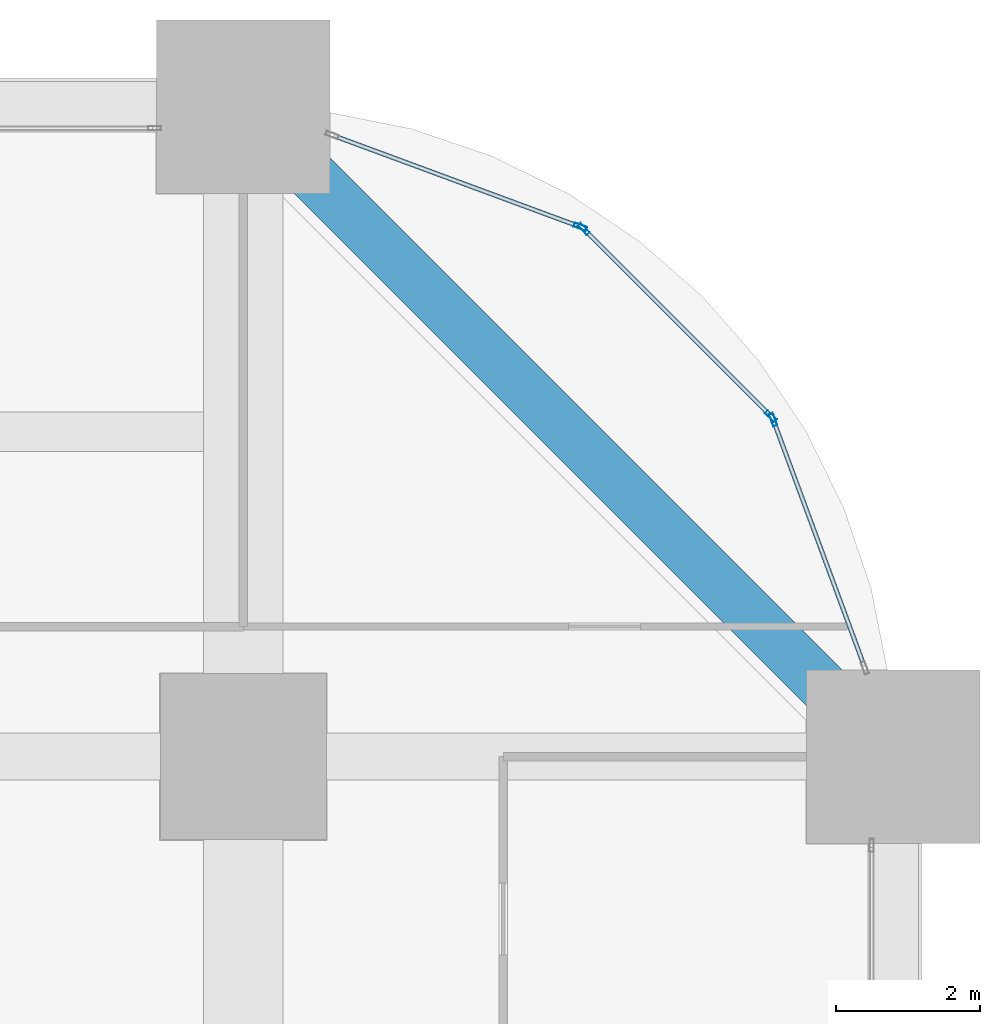
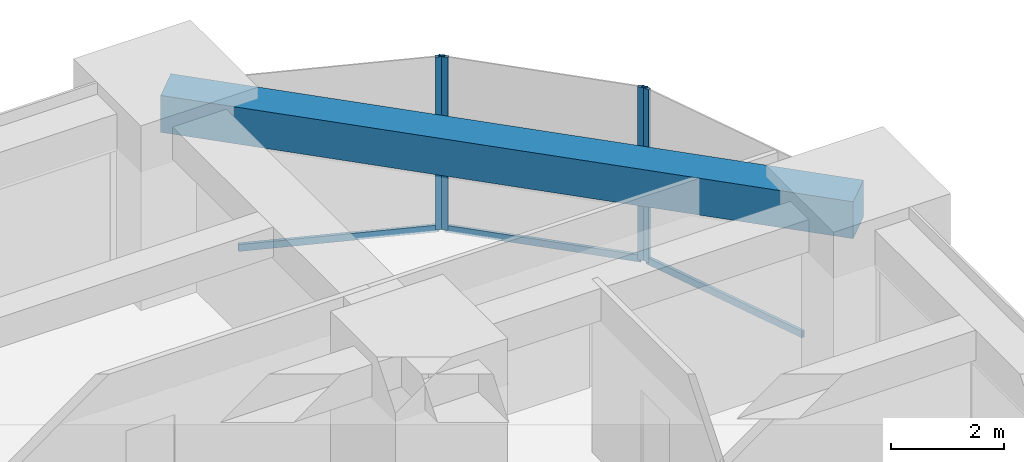
# One storey, part 37 of 45: 7 members, 1 beam, 3 elements without a shape of their own.
"""IFC4 building model written with IfcOpenShell, lengths in metres."""

from ifc_helpers import new_model, si_unit, direction, frame, origin, origin_2d, place, context, subcontext, project, spatial, rectangle, hollow_rectangle, extrude, material, material_profile, profile_set, type_object, element, aggregate, save


model = new_model("IFC4")

# Units and contexts
model_context = context("Model", 3, precision=1e-05, world=origin(), true_north=direction((0.0, 1.0)))
body_context = subcontext(model_context, "Body", "Model", "MODEL_VIEW")
ifc_project = project(units=[si_unit("LENGTHUNIT", "METRE"), si_unit("AREAUNIT", "SQUARE_METRE"), si_unit("VOLUMEUNIT", "CUBIC_METRE"), si_unit("PLANEANGLEUNIT", "RADIAN"), si_unit("MASSUNIT", "GRAM", prefix="KILO")], contexts=[model_context])

# Site, building, storey
site_placement = place(None, origin())
site = spatial("IfcSite", under=ifc_project, at=site_placement, CompositionType="ELEMENT")
building_placement = place(site_placement, origin())
building = spatial("IfcBuilding", under=site, at=building_placement, Name="Zorevar Civic Tower", CompositionType="ELEMENT")
storey_placement = place(building_placement, frame((0.0, 0.0, 23.800048828125)))
storey = spatial("IfcBuildingStorey", under=building, at=storey_placement, Name="L05", CompositionType="ELEMENT", Elevation=23.800048828125)

# Curtain wall, member
ifc_material_1 = material(Name="Dark grey solar-control glass in black aluminium frame", Category="aluminium")
curtain_wall_type = type_object("IfcCurtainWallType", Name="Curtain wall CW2 low zone", PredefinedType="NOTDEFINED", material=ifc_material_1)
curtain_wall_1_placement = place(storey_placement, origin())
curtain_wall_1 = element("IfcCurtainWall", 1, at=curtain_wall_1_placement, inside=storey, type_object=curtain_wall_type, Name="CW2 L05", PredefinedType="NOTDEFINED")
ifc_material_2 = material(Name="Aluminium, black anodised", Category="aluminium")
ifc_material_profile_1 = material_profile(ifc_material_2, hollow_rectangle(XDim=0.06005859375, YDim=0.179931640625, WallThickness=0.00390625, at=origin_2d()), Name="AL 180x60x4")
ifc_profile_set_1 = profile_set([ifc_material_profile_1], Name="Aluminium, black anodised")
member_type_1 = type_object("IfcMemberType", Name="CW2 mullion AL 180x60x4", PredefinedType="MULLION", material=ifc_profile_set_1)
member_1_placement = place(storey_placement, frame((61.336181640625, 49.66455078125, 0.0), z_axis=(0.0, 0.0, 1.0), x_axis=(-0.937974588163, -0.346704012033, 0.0)))
member_1 = element("IfcMember", 2, at=member_1_placement, type_object=member_type_1, Name="CW2 mullion 2", PredefinedType="MULLION", context=body_context, shape_type="SweptSolid", body=[
    extrude(hollow_rectangle(XDim=0.06005859375, YDim=0.179931640625, WallThickness=0.00390625, at=origin_2d()), origin(), (0.0, 0.0, 1.0), 3.75),
])

# Curtain wall, members
curtain_wall_2_placement = place(storey_placement, origin())
curtain_wall_2 = element("IfcCurtainWall", 3, at=curtain_wall_2_placement, inside=storey, type_object=curtain_wall_type, Name="CW2 L05", PredefinedType="NOTDEFINED")
member_2_placement = place(storey_placement, frame((61.3046875, 49.7138671875, 0.0), z_axis=(0.0, 0.0, 1.0), x_axis=(-0.707106781187, -0.707106781187, 0.0)))
member_2 = element("IfcMember", 4, at=member_2_placement, type_object=member_type_1, Name="CW2 mullion 1", PredefinedType="MULLION", context=body_context, shape_type="SweptSolid", body=[
    extrude(hollow_rectangle(XDim=0.06005859375, YDim=0.179931640625, WallThickness=0.00390625, at=origin_2d()), origin(), (0.0, 0.0, 1.0), 3.75),
])
member_3_placement = place(storey_placement, frame((58.7138671875, 52.3046875, 0.0), z_axis=(0.0, 0.0, 1.0), x_axis=(-0.707106781187, -0.707106781187, 0.0)))
member_3 = element("IfcMember", 5, at=member_3_placement, type_object=member_type_1, Name="CW2 mullion 2", PredefinedType="MULLION", context=body_context, shape_type="SweptSolid", body=[
    extrude(hollow_rectangle(XDim=0.06005859375, YDim=0.179931640625, WallThickness=0.00390625, at=origin_2d()), origin(), (0.0, 0.0, 1.0), 3.75),
])

# Curtain wall, member
curtain_wall_3_placement = place(storey_placement, origin())
curtain_wall_3 = element("IfcCurtainWall", 6, at=curtain_wall_3_placement, inside=storey, type_object=curtain_wall_type, Name="CW2 L05", PredefinedType="NOTDEFINED")
member_4_placement = place(storey_placement, frame((58.66455078125, 52.336181640625, 0.0), z_axis=(0.0, 0.0, 1.0), x_axis=(-0.346704012033, -0.937974588163, 0.0)))
member_4 = element("IfcMember", 7, at=member_4_placement, type_object=member_type_1, Name="CW2 mullion 1", PredefinedType="MULLION", context=body_context, shape_type="SweptSolid", body=[
    extrude(hollow_rectangle(XDim=0.06005859375, YDim=0.179931640625, WallThickness=0.00390625, at=origin_2d()), origin(), (0.0, 0.0, 1.0), 3.75),
])

# Member
ifc_material_3 = material(Name="Aluminium, black anodised", Category="aluminium")
ifc_material_profile_2 = material_profile(ifc_material_3, hollow_rectangle(XDim=0.06005859375, YDim=0.14990234375, WallThickness=0.00390625, at=origin_2d()), Name="AL 150x60x4")
ifc_profile_set_2 = profile_set([ifc_material_profile_2], Name="Aluminium, black anodised")
member_type_2 = type_object("IfcMemberType", Name="CW2 transom AL 150x60x4", PredefinedType="USERDEFINED", material=ifc_profile_set_2)
member_5_placement = place(storey_placement, frame((62.595947265625, 46.25634765625, 0.030029296875), z_axis=(-0.346672169799, 0.93798635741, 0.0), x_axis=(-0.93798635741, -0.346672169799, 0.0)))
member_5 = element("IfcMember", 8, at=member_5_placement, type_object=member_type_2, Name="CW2 sill transom", ObjectType="TRANSOM", PredefinedType="USERDEFINED", context=body_context, shape_type="SweptSolid", body=[
    extrude(hollow_rectangle(XDim=0.06005859375, YDim=0.14990234375, WallThickness=0.00390625, at=origin_2d()), origin(), (0.0, 0.0, 1.0), 3.603515625),
])

aggregate(curtain_wall_1, [member_1, member_5])

member_6_placement = place(storey_placement, frame((61.283447265625, 49.735107421875, 0.030029296875), z_axis=(-0.707106781187, 0.707106781187, 0.0), x_axis=(-0.707106781187, -0.707106781187, 0.0)))
member_6 = element("IfcMember", 9, at=member_6_placement, type_object=member_type_2, Name="CW2 sill transom", ObjectType="TRANSOM", PredefinedType="USERDEFINED", context=body_context, shape_type="SweptSolid", body=[
    extrude(hollow_rectangle(XDim=0.06005859375, YDim=0.14990234375, WallThickness=0.00390625, at=origin_2d()), origin(), (0.0, 0.0, 1.0), 3.60400390625),
])

aggregate(curtain_wall_2, [member_2, member_3, member_6])

member_7_placement = place(storey_placement, frame((58.636474609375, 52.3466796875, 0.030029296875), z_axis=(-0.93798635741, 0.346672169799, 0.0), x_axis=(-0.346672169799, -0.93798635741, 0.0)))
member_7 = element("IfcMember", 10, at=member_7_placement, type_object=member_type_2, Name="CW2 sill transom", ObjectType="TRANSOM", PredefinedType="USERDEFINED", context=body_context, shape_type="SweptSolid", body=[
    extrude(hollow_rectangle(XDim=0.06005859375, YDim=0.14990234375, WallThickness=0.00390625, at=origin_2d()), origin(), (0.0, 0.0, 1.0), 3.603515625),
])

aggregate(curtain_wall_3, [member_4, member_7])

# Beam
ifc_material_4 = material(Name="Concrete C50/60", Category="concrete")
ifc_material_profile_3 = material_profile(ifc_material_4, rectangle(XDim=0.699951171875, YDim=0.800048828125, at=origin_2d()), Name="RC 700x800")
ifc_profile_set_3 = profile_set([ifc_material_profile_3], Name="Concrete C50/60")
beam_type = type_object("IfcBeamType", Name="Edge beam RC 700x800", PredefinedType="SPANDREL", material=ifc_profile_set_3)
beam_placement = place(storey_placement, frame((63.0, 45.0, 3.349853515625), z_axis=(-0.707106781187, 0.707106781187, 0.0), x_axis=(-0.707106781187, -0.707106781187, 0.0)))
element("IfcBeam", 11, at=beam_placement, inside=storey, type_object=beam_type, Name="Corner edge beam L06", PredefinedType="SPANDREL", context=body_context, shape_type="SweptSolid", body=[
    extrude(rectangle(XDim=0.699951171875, YDim=0.800048828125, at=origin_2d()), origin(), (0.0, 0.0, 1.0), 12.72802734375),
])

save(model, "model.ifc")
